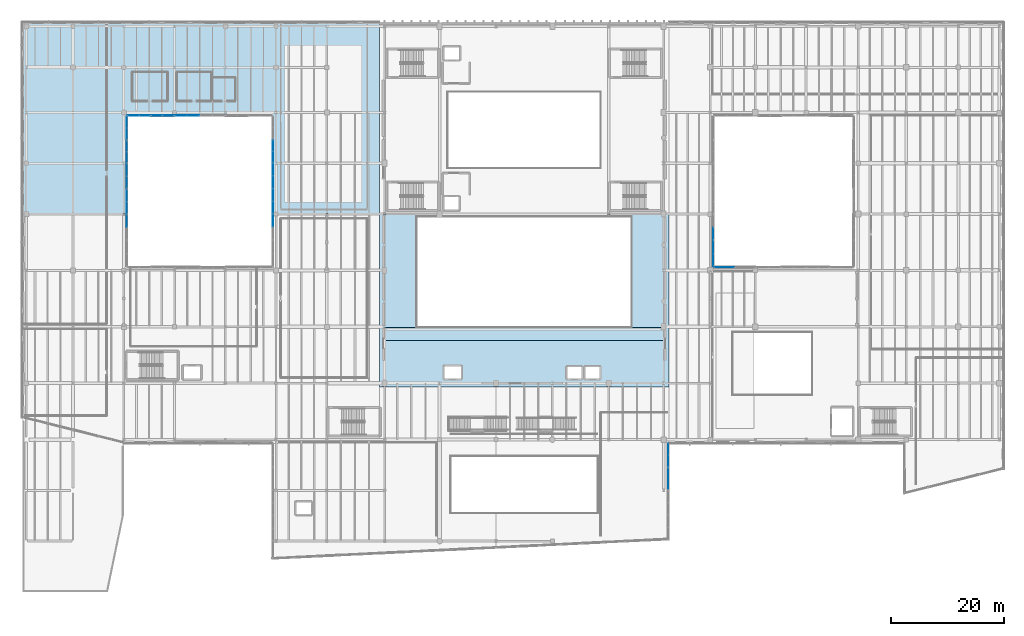
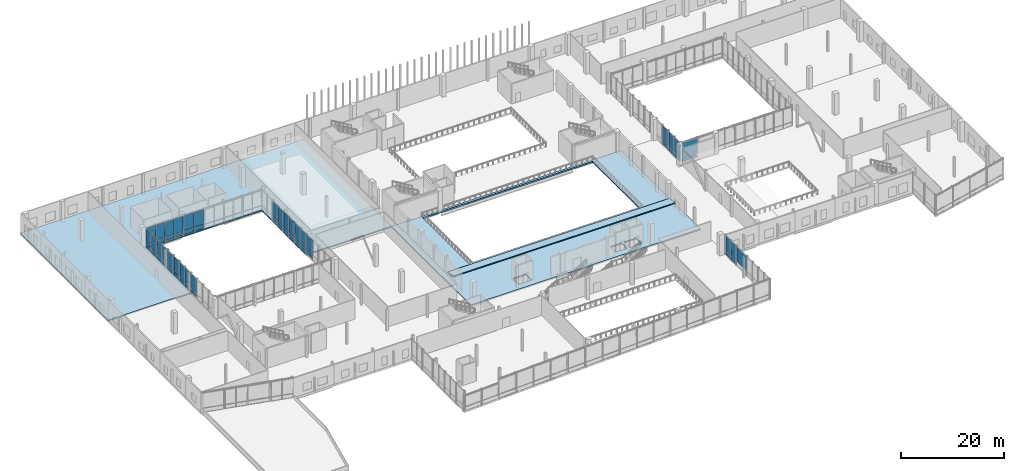
# One storey, part 53 of 81: 57 plates, 3 slabs, 17 elements without a shape of their own.
"""IFC4 building model written with IfcOpenShell, lengths in metres."""

from ifc_helpers import new_model, si_unit, direction, frame, origin, origin_2d, place, context, subcontext, project, spatial, polyline, rectangle, outline, extrude, material, layer, layer_set, type_object, element, aggregate, save


model = new_model("IFC4")

# Units and contexts
model_context = context("Model", 3, precision=1e-05, world=origin(), true_north=direction((0.0, 1.0)))
body_context = subcontext(model_context, "Body", "Model", "MODEL_VIEW")
ifc_project = project(units=[si_unit("LENGTHUNIT", "METRE"), si_unit("AREAUNIT", "SQUARE_METRE"), si_unit("VOLUMEUNIT", "CUBIC_METRE"), si_unit("PLANEANGLEUNIT", "RADIAN"), si_unit("MASSUNIT", "GRAM", prefix="KILO")], contexts=[model_context])

# Site, building, storey
site_placement = place(None, origin())
site = spatial("IfcSite", under=ifc_project, at=site_placement, CompositionType="ELEMENT")
building_placement = place(site_placement, origin())
building = spatial("IfcBuilding", under=site, at=building_placement, Name="Trimount Lyric Opera House", CompositionType="ELEMENT")
storey_placement = place(building_placement, frame((0.0, 0.0, 5.0)))
storey = spatial("IfcBuildingStorey", under=building, at=storey_placement, Name="L01", CompositionType="ELEMENT", Elevation=5.0)

# Curtain wall, plates
ifc_material_1 = material(Name="Thermally Broken Aluminium and Low-E Glass", Category="aluminium")
curtain_wall_type_1 = type_object("IfcCurtainWallType", Name="CW-01", PredefinedType="NOTDEFINED", material=ifc_material_1)
curtain_wall_1_placement = place(storey_placement, origin())
curtain_wall_1 = element("IfcCurtainWall", 1, at=curtain_wall_1_placement, inside=storey, type_object=curtain_wall_type_1, Name="L01 curtain wall 089", PredefinedType="NOTDEFINED")
ifc_material_2 = material(Name="Triple Low-E Acoustic Laminated Glass", Category="glass")
ifc_layer_1 = layer(ifc_material_2, 0.035888671875)
ifc_layer_set_1 = layer_set([ifc_layer_1], Name="CWP-01")
plate_type_1 = type_object("IfcPlateType", Name="CWP-01", PredefinedType="CURTAIN_PANEL", material=ifc_layer_set_1)
plate_1_placement = place(storey_placement, frame((114.5400390625, 42.264892578125, 0.114990234375), z_axis=(0.0, 0.0, 1.0), x_axis=(0.0, -1.0, 0.0)))
plate_1 = element("IfcPlate", 2, at=plate_1_placement, type_object=plate_type_1, Name="CW-01 panel 1.1", PredefinedType="CURTAIN_PANEL", context=body_context, shape_type="SweptSolid", body=[
    extrude(rectangle(XDim=1.989990234375, YDim=0.035888671875, at=origin_2d()), origin(), (0.0, 0.0, 1.0), 0.87744140625),
])
plate_2_placement = place(storey_placement, frame((114.5400390625, 40.215087890625, 0.114990234375), z_axis=(0.0, 0.0, 1.0), x_axis=(0.0, -1.0, 0.0)))
plate_2 = element("IfcPlate", 3, at=plate_2_placement, type_object=plate_type_1, Name="CW-01 panel 2.1", PredefinedType="CURTAIN_PANEL", context=body_context, shape_type="SweptSolid", body=[
    extrude(rectangle(XDim=1.989990234375, YDim=0.035888671875, at=origin_2d()), origin(), (0.0, 0.0, 1.0), 0.87744140625),
])

# Curtain wall, plate
ifc_material_3 = material(Name="Thermally Broken Aluminium and Low-E Glass", Category="aluminium")
curtain_wall_type_2 = type_object("IfcCurtainWallType", Name="CW-03", PredefinedType="NOTDEFINED", material=ifc_material_3)
curtain_wall_2_placement = place(storey_placement, origin())
curtain_wall_2 = element("IfcCurtainWall", 4, at=curtain_wall_2_placement, inside=storey, type_object=curtain_wall_type_2, Name="L01 curtain wall 120", PredefinedType="NOTDEFINED")
plate_3_placement = place(storey_placement, frame((124.510009765625, 74.5400390625, 0.159912109375), z_axis=(0.0, 0.0, 1.0), x_axis=(1.0, 0.0, 0.0)))
plate_3 = element("IfcPlate", 5, at=plate_3_placement, type_object=plate_type_1, Name="CW-03 panel 1.1", PredefinedType="CURTAIN_PANEL", context=body_context, shape_type="SweptSolid", body=[
    extrude(rectangle(XDim=3.52001953125, YDim=0.035888671875, at=origin_2d()), origin(), (0.0, 0.0, 1.0), 0.81005859375),
])

curtain_wall_3_placement = place(storey_placement, origin())
curtain_wall_3 = element("IfcCurtainWall", 6, at=curtain_wall_3_placement, inside=storey, type_object=curtain_wall_type_2, Name="L01 curtain wall 141", PredefinedType="NOTDEFINED")
plate_4_placement = place(storey_placement, frame((122.5400390625, 80.5, 0.159912109375), z_axis=(0.0, 0.0, 1.0), x_axis=(0.0, -1.0, 0.0)))
plate_4 = element("IfcPlate", 7, at=plate_4_placement, type_object=plate_type_1, Name="CW-03 panel 2.1", PredefinedType="CURTAIN_PANEL", context=body_context, shape_type="SweptSolid", body=[
    extrude(rectangle(XDim=2.179931640625, YDim=0.035888671875, at=origin_2d()), origin(), (0.0, 0.0, 1.0), 0.81005859375),
])

# Curtain wall, plates
curtain_wall_4_placement = place(storey_placement, origin())
curtain_wall_4 = element("IfcCurtainWall", 8, at=curtain_wall_4_placement, inside=storey, type_object=curtain_wall_type_2, Name="L01 curtain wall 142", PredefinedType="NOTDEFINED")
plate_5_placement = place(storey_placement, frame((122.5400390625, 78.09130859375, 0.13525390625), z_axis=(0.0, 0.0, 1.0), x_axis=(0.0, -1.0, 0.0)))
plate_5 = element("IfcPlate", 9, at=plate_5_placement, type_object=plate_type_1, Name="CW-03 panel 1.1", PredefinedType="CURTAIN_PANEL", context=body_context, shape_type="SweptSolid", body=[
    extrude(rectangle(XDim=2.1875, YDim=0.035888671875, at=origin_2d()), origin(), (0.0, 0.0, 1.0), 0.847412109375),
])
plate_6_placement = place(storey_placement, frame((122.5400390625, 75.8388671875, 0.13525390625), z_axis=(0.0, 0.0, 1.0), x_axis=(0.0, -1.0, 0.0)))
plate_6 = element("IfcPlate", 10, at=plate_6_placement, type_object=plate_type_1, Name="CW-03 panel 2.1", PredefinedType="CURTAIN_PANEL", context=body_context, shape_type="SweptSolid", body=[
    extrude(rectangle(XDim=2.1875, YDim=0.035888671875, at=origin_2d()), origin(), (0.0, 0.0, 1.0), 0.847412109375),
])

# Curtain wall, plate
curtain_wall_5_placement = place(storey_placement, origin())
curtain_wall_5 = element("IfcCurtainWall", 11, at=curtain_wall_5_placement, inside=storey, type_object=curtain_wall_type_2, Name="L01 curtain wall 150", PredefinedType="NOTDEFINED")
plate_7_placement = place(storey_placement, frame((44.4599609375, 82.840087890625, 0.159912109375), z_axis=(0.0, 0.0, 1.0), x_axis=(0.0, 1.0, 0.0)))
plate_7 = element("IfcPlate", 12, at=plate_7_placement, type_object=plate_type_1, Name="CW-03 panel 2.1", PredefinedType="CURTAIN_PANEL", context=body_context, shape_type="SweptSolid", body=[
    extrude(rectangle(XDim=2.179931640625, YDim=0.035888671875, at=origin_2d()), origin(), (0.0, 0.0, 1.0), 0.81005859375),
])

# Curtain wall, plates
curtain_wall_6_placement = place(storey_placement, origin())
curtain_wall_6 = element("IfcCurtainWall", 13, at=curtain_wall_6_placement, inside=storey, type_object=curtain_wall_type_2, Name="L01 curtain wall 151", PredefinedType="NOTDEFINED")
plate_8_placement = place(storey_placement, frame((44.4599609375, 85.208740234375, 0.13525390625), z_axis=(0.0, 0.0, 1.0), x_axis=(0.0, 1.0, 0.0)))
plate_8 = element("IfcPlate", 14, at=plate_8_placement, type_object=plate_type_1, Name="CW-03 panel 1.1", PredefinedType="CURTAIN_PANEL", context=body_context, shape_type="SweptSolid", body=[
    extrude(rectangle(XDim=2.107421875, YDim=0.035888671875, at=origin_2d()), origin(), (0.0, 0.0, 1.0), 0.847412109375),
])
plate_9_placement = place(storey_placement, frame((44.4599609375, 87.38134765625, 0.13525390625), z_axis=(0.0, 0.0, 1.0), x_axis=(0.0, 1.0, 0.0)))
plate_9 = element("IfcPlate", 15, at=plate_9_placement, type_object=plate_type_1, Name="CW-03 panel 2.1", PredefinedType="CURTAIN_PANEL", context=body_context, shape_type="SweptSolid", body=[
    extrude(rectangle(XDim=2.107421875, YDim=0.035888671875, at=origin_2d()), origin(), (0.0, 0.0, 1.0), 0.847412109375),
])

curtain_wall_7_placement = place(storey_placement, origin())
curtain_wall_7 = element("IfcCurtainWall", 16, at=curtain_wall_7_placement, inside=storey, type_object=curtain_wall_type_2, Name="L01 curtain wall 152", PredefinedType="NOTDEFINED")
plate_10_placement = place(storey_placement, frame((44.4599609375, 89.70751953125, 0.114990234375), z_axis=(0.0, 0.0, 1.0), x_axis=(0.0, 1.0, 0.0)))
plate_10 = element("IfcPlate", 17, at=plate_10_placement, type_object=plate_type_1, Name="CW-03 panel 1.1", PredefinedType="CURTAIN_PANEL", context=body_context, shape_type="SweptSolid", body=[
    extrude(rectangle(XDim=2.114990234375, YDim=0.035888671875, at=origin_2d()), origin(), (0.0, 0.0, 1.0), 0.87744140625),
])
plate_11_placement = place(storey_placement, frame((44.4599609375, 91.882568359375, 0.114990234375), z_axis=(0.0, 0.0, 1.0), x_axis=(0.0, 1.0, 0.0)))
plate_11 = element("IfcPlate", 18, at=plate_11_placement, type_object=plate_type_1, Name="CW-03 panel 2.1", PredefinedType="CURTAIN_PANEL", context=body_context, shape_type="SweptSolid", body=[
    extrude(rectangle(XDim=2.114990234375, YDim=0.035888671875, at=origin_2d()), origin(), (0.0, 0.0, 1.0), 0.87744140625),
])

curtain_wall_8_placement = place(storey_placement, origin())
curtain_wall_8 = element("IfcCurtainWall", 19, at=curtain_wall_8_placement, inside=storey, type_object=curtain_wall_type_2, Name="L01 curtain wall 153", PredefinedType="NOTDEFINED")
plate_12_placement = place(storey_placement, frame((44.4599609375, 94.125, 0.159912109375), z_axis=(0.0, 0.0, 1.0), x_axis=(0.0, 1.0, 0.0)))
plate_12 = element("IfcPlate", 20, at=plate_12_placement, type_object=plate_type_1, Name="CW-03 panel 1.1", PredefinedType="CURTAIN_PANEL", context=body_context, shape_type="SweptSolid", body=[
    extrude(rectangle(XDim=1.929931640625, YDim=0.035888671875, at=origin_2d()), origin(), (0.0, 0.0, 1.0), 0.81005859375),
])
plate_13_placement = place(storey_placement, frame((44.4599609375, 96.125, 0.159912109375), z_axis=(0.0, 0.0, 1.0), x_axis=(0.0, 1.0, 0.0)))
plate_13 = element("IfcPlate", 21, at=plate_13_placement, type_object=plate_type_1, Name="CW-03 panel 2.1", PredefinedType="CURTAIN_PANEL", context=body_context, shape_type="SweptSolid", body=[
    extrude(rectangle(XDim=1.929931640625, YDim=0.035888671875, at=origin_2d()), origin(), (0.0, 0.0, 1.0), 0.81005859375),
])

curtain_wall_9_placement = place(storey_placement, origin())
curtain_wall_9 = element("IfcCurtainWall", 22, at=curtain_wall_9_placement, inside=storey, type_object=curtain_wall_type_2, Name="L01 curtain wall 158", PredefinedType="NOTDEFINED")
plate_14_placement = place(storey_placement, frame((30.29248046875, 101.4599609375, 0.114990234375), z_axis=(0.0, 0.0, 1.0), x_axis=(-1.0, 0.0, 0.0)))
plate_14 = element("IfcPlate", 23, at=plate_14_placement, type_object=plate_type_1, Name="CW-03 panel 1.1", PredefinedType="CURTAIN_PANEL", context=body_context, shape_type="SweptSolid", body=[
    extrude(rectangle(XDim=2.114990234375, YDim=0.035888671875, at=origin_2d()), origin(), (0.0, 0.0, 1.0), 0.87744140625),
])
plate_15_placement = place(storey_placement, frame((28.117431640625, 101.4599609375, 0.114990234375), z_axis=(0.0, 0.0, 1.0), x_axis=(-1.0, 0.0, 0.0)))
plate_15 = element("IfcPlate", 24, at=plate_15_placement, type_object=plate_type_1, Name="CW-03 panel 2.1", PredefinedType="CURTAIN_PANEL", context=body_context, shape_type="SweptSolid", body=[
    extrude(rectangle(XDim=2.114990234375, YDim=0.035888671875, at=origin_2d()), origin(), (0.0, 0.0, 1.0), 0.87744140625),
])

curtain_wall_10_placement = place(storey_placement, origin())
curtain_wall_10 = element("IfcCurtainWall", 25, at=curtain_wall_10_placement, inside=storey, type_object=curtain_wall_type_2, Name="L01 curtain wall 159", PredefinedType="NOTDEFINED")
plate_16_placement = place(storey_placement, frame((25.875, 101.4599609375, 0.159912109375), z_axis=(0.0, 0.0, 1.0), x_axis=(-1.0, 0.0, 0.0)))
plate_16 = element("IfcPlate", 26, at=plate_16_placement, type_object=plate_type_1, Name="CW-03 panel 1.1", PredefinedType="CURTAIN_PANEL", context=body_context, shape_type="SweptSolid", body=[
    extrude(rectangle(XDim=1.929931640625, YDim=0.035888671875, at=origin_2d()), origin(), (0.0, 0.0, 1.0), 0.81005859375),
])
plate_17_placement = place(storey_placement, frame((23.875, 101.4599609375, 0.159912109375), z_axis=(0.0, 0.0, 1.0), x_axis=(-1.0, 0.0, 0.0)))
plate_17 = element("IfcPlate", 27, at=plate_17_placement, type_object=plate_type_1, Name="CW-03 panel 2.1", PredefinedType="CURTAIN_PANEL", context=body_context, shape_type="SweptSolid", body=[
    extrude(rectangle(XDim=1.929931640625, YDim=0.035888671875, at=origin_2d()), origin(), (0.0, 0.0, 1.0), 0.81005859375),
])

curtain_wall_11_placement = place(storey_placement, origin())
curtain_wall_11 = element("IfcCurtainWall", 28, at=curtain_wall_11_placement, inside=storey, type_object=curtain_wall_type_2, Name="L01 curtain wall 160", PredefinedType="NOTDEFINED")
plate_18_placement = place(storey_placement, frame((21.71630859375, 101.4599609375, 0.13525390625), z_axis=(0.0, 0.0, 1.0), x_axis=(-1.0, 0.0, 0.0)))
plate_18 = element("IfcPlate", 29, at=plate_18_placement, type_object=plate_type_1, Name="CW-03 panel 1.1", PredefinedType="CURTAIN_PANEL", context=body_context, shape_type="SweptSolid", body=[
    extrude(rectangle(XDim=1.9375, YDim=0.035888671875, at=origin_2d()), origin(), (0.0, 0.0, 1.0), 0.847412109375),
])
plate_19_placement = place(storey_placement, frame((19.7138671875, 101.4599609375, 0.13525390625), z_axis=(0.0, 0.0, 1.0), x_axis=(-1.0, 0.0, 0.0)))
plate_19 = element("IfcPlate", 30, at=plate_19_placement, type_object=plate_type_1, Name="CW-03 panel 2.1", PredefinedType="CURTAIN_PANEL", context=body_context, shape_type="SweptSolid", body=[
    extrude(rectangle(XDim=1.9375, YDim=0.035888671875, at=origin_2d()), origin(), (0.0, 0.0, 1.0), 0.847412109375),
])

curtain_wall_12_placement = place(storey_placement, origin())
curtain_wall_12 = element("IfcCurtainWall", 31, at=curtain_wall_12_placement, inside=storey, type_object=curtain_wall_type_2, Name="L01 curtain wall 161", PredefinedType="NOTDEFINED")
plate_20_placement = place(storey_placement, frame((18.5400390625, 100.264892578125, 0.114990234375), z_axis=(0.0, 0.0, 1.0), x_axis=(0.0, -1.0, 0.0)))
plate_20 = element("IfcPlate", 32, at=plate_20_placement, type_object=plate_type_1, Name="CW-03 panel 1.1", PredefinedType="CURTAIN_PANEL", context=body_context, shape_type="SweptSolid", body=[
    extrude(rectangle(XDim=1.989990234375, YDim=0.035888671875, at=origin_2d()), origin(), (0.0, 0.0, 1.0), 0.87744140625),
])
plate_21_placement = place(storey_placement, frame((18.5400390625, 98.215087890625, 0.114990234375), z_axis=(0.0, 0.0, 1.0), x_axis=(0.0, -1.0, 0.0)))
plate_21 = element("IfcPlate", 33, at=plate_21_placement, type_object=plate_type_1, Name="CW-03 panel 2.1", PredefinedType="CURTAIN_PANEL", context=body_context, shape_type="SweptSolid", body=[
    extrude(rectangle(XDim=1.989990234375, YDim=0.035888671875, at=origin_2d()), origin(), (0.0, 0.0, 1.0), 0.87744140625),
])

curtain_wall_13_placement = place(storey_placement, origin())
curtain_wall_13 = element("IfcCurtainWall", 34, at=curtain_wall_13_placement, inside=storey, type_object=curtain_wall_type_2, Name="L01 curtain wall 162", PredefinedType="NOTDEFINED")
plate_22_placement = place(storey_placement, frame((18.5400390625, 96.034912109375, 0.159912109375), z_axis=(0.0, 0.0, 1.0), x_axis=(0.0, -1.0, 0.0)))
plate_22 = element("IfcPlate", 35, at=plate_22_placement, type_object=plate_type_1, Name="CW-03 panel 1.1", PredefinedType="CURTAIN_PANEL", context=body_context, shape_type="SweptSolid", body=[
    extrude(rectangle(XDim=1.929931640625, YDim=0.035888671875, at=origin_2d()), origin(), (0.0, 0.0, 1.0), 0.81005859375),
])
plate_23_placement = place(storey_placement, frame((18.5400390625, 94.034912109375, 0.159912109375), z_axis=(0.0, 0.0, 1.0), x_axis=(0.0, -1.0, 0.0)))
plate_23 = element("IfcPlate", 36, at=plate_23_placement, type_object=plate_type_1, Name="CW-03 panel 2.1", PredefinedType="CURTAIN_PANEL", context=body_context, shape_type="SweptSolid", body=[
    extrude(rectangle(XDim=1.929931640625, YDim=0.035888671875, at=origin_2d()), origin(), (0.0, 0.0, 1.0), 0.81005859375),
])

curtain_wall_14_placement = place(storey_placement, origin())
curtain_wall_14 = element("IfcCurtainWall", 37, at=curtain_wall_14_placement, inside=storey, type_object=curtain_wall_type_2, Name="L01 curtain wall 163", PredefinedType="NOTDEFINED")
plate_24_placement = place(storey_placement, frame((18.5400390625, 91.791259765625, 0.13525390625), z_axis=(0.0, 0.0, 1.0), x_axis=(0.0, -1.0, 0.0)))
plate_24 = element("IfcPlate", 38, at=plate_24_placement, type_object=plate_type_1, Name="CW-03 panel 1.1", PredefinedType="CURTAIN_PANEL", context=body_context, shape_type="SweptSolid", body=[
    extrude(rectangle(XDim=2.107421875, YDim=0.035888671875, at=origin_2d()), origin(), (0.0, 0.0, 1.0), 0.847412109375),
])
plate_25_placement = place(storey_placement, frame((18.5400390625, 89.61865234375, 0.13525390625), z_axis=(0.0, 0.0, 1.0), x_axis=(0.0, -1.0, 0.0)))
plate_25 = element("IfcPlate", 39, at=plate_25_placement, type_object=plate_type_1, Name="CW-03 panel 2.1", PredefinedType="CURTAIN_PANEL", context=body_context, shape_type="SweptSolid", body=[
    extrude(rectangle(XDim=2.107421875, YDim=0.035888671875, at=origin_2d()), origin(), (0.0, 0.0, 1.0), 0.847412109375),
])

curtain_wall_15_placement = place(storey_placement, origin())
curtain_wall_15 = element("IfcCurtainWall", 40, at=curtain_wall_15_placement, inside=storey, type_object=curtain_wall_type_2, Name="L01 curtain wall 164", PredefinedType="NOTDEFINED")
plate_26_placement = place(storey_placement, frame((18.5400390625, 87.29248046875, 0.114990234375), z_axis=(0.0, 0.0, 1.0), x_axis=(0.0, -1.0, 0.0)))
plate_26 = element("IfcPlate", 41, at=plate_26_placement, type_object=plate_type_1, Name="CW-03 panel 1.1", PredefinedType="CURTAIN_PANEL", context=body_context, shape_type="SweptSolid", body=[
    extrude(rectangle(XDim=2.114990234375, YDim=0.035888671875, at=origin_2d()), origin(), (0.0, 0.0, 1.0), 0.87744140625),
])
plate_27_placement = place(storey_placement, frame((18.5400390625, 85.117431640625, 0.114990234375), z_axis=(0.0, 0.0, 1.0), x_axis=(0.0, -1.0, 0.0)))
plate_27 = element("IfcPlate", 42, at=plate_27_placement, type_object=plate_type_1, Name="CW-03 panel 2.1", PredefinedType="CURTAIN_PANEL", context=body_context, shape_type="SweptSolid", body=[
    extrude(rectangle(XDim=2.114990234375, YDim=0.035888671875, at=origin_2d()), origin(), (0.0, 0.0, 1.0), 0.87744140625),
])

# Curtain wall, plate
curtain_wall_16_placement = place(storey_placement, origin())
curtain_wall_16 = element("IfcCurtainWall", 43, at=curtain_wall_16_placement, inside=storey, type_object=curtain_wall_type_2, Name="L01 curtain wall 165", PredefinedType="NOTDEFINED")
plate_28_placement = place(storey_placement, frame((18.5400390625, 82.75, 0.159912109375), z_axis=(0.0, 0.0, 1.0), x_axis=(0.0, -1.0, 0.0)))
plate_28 = element("IfcPlate", 44, at=plate_28_placement, type_object=plate_type_1, Name="CW-03 panel 1.1", PredefinedType="CURTAIN_PANEL", context=body_context, shape_type="SweptSolid", body=[
    extrude(rectangle(XDim=2.179931640625, YDim=0.035888671875, at=origin_2d()), origin(), (0.0, 0.0, 1.0), 0.81005859375),
])

# Plate
ifc_material_4 = material(Name="Insulated Aluminium Shadow-Box Spandrel Panel", Category="aluminium")
ifc_layer_2 = layer(ifc_material_4, 0.0419921875)
ifc_layer_set_2 = layer_set([ifc_layer_2], Name="CWP-04")
plate_type_2 = type_object("IfcPlateType", Name="CWP-04", PredefinedType="CURTAIN_PANEL", material=ifc_layer_set_2)
plate_29_placement = place(storey_placement, frame((114.5400390625, 42.264892578125, 1.107421875), z_axis=(0.0, 0.0, 1.0), x_axis=(0.0, -1.0, 0.0)))
plate_29 = element("IfcPlate", 45, at=plate_29_placement, type_object=plate_type_2, Name="CW-01 panel 1.2", PredefinedType="CURTAIN_PANEL", context=body_context, shape_type="SweptSolid", body=[
    extrude(rectangle(XDim=1.989990234375, YDim=0.035888671875, at=origin_2d()), origin(), (0.0, 0.0, 1.0), 3.45751953125),
])

plate_30_placement = place(storey_placement, frame((114.5400390625, 40.215087890625, 1.107421875), z_axis=(0.0, 0.0, 1.0), x_axis=(0.0, -1.0, 0.0)))
plate_30 = element("IfcPlate", 46, at=plate_30_placement, type_object=plate_type_2, Name="CW-01 panel 2.2", PredefinedType="CURTAIN_PANEL", context=body_context, shape_type="SweptSolid", body=[
    extrude(rectangle(XDim=1.989990234375, YDim=0.035888671875, at=origin_2d()), origin(), (0.0, 0.0, 1.0), 3.45751953125),
])

aggregate(curtain_wall_1, [plate_1, plate_29, plate_2, plate_30])

# Curtain wall, plate
curtain_wall_17_placement = place(storey_placement, origin())
curtain_wall_17 = element("IfcCurtainWall", 47, at=curtain_wall_17_placement, inside=storey, type_object=curtain_wall_type_1, Name="L01 curtain wall 090", PredefinedType="NOTDEFINED")
plate_31_placement = place(storey_placement, frame((114.5400390625, 37.074951171875, 1.1298828125), z_axis=(0.0, 0.0, 1.0), x_axis=(0.0, -1.0, 0.0)))
plate_31 = element("IfcPlate", 48, at=plate_31_placement, type_object=plate_type_2, Name="CW-01 panel 1.2", PredefinedType="CURTAIN_PANEL", context=body_context, shape_type="SweptSolid", body=[
    extrude(rectangle(XDim=3.85009765625, YDim=0.035888671875, at=origin_2d()), origin(), (0.0, 0.0, 1.0), 3.389892578125),
])
aggregate(curtain_wall_17, [plate_31])

# Plate
plate_32_placement = place(storey_placement, frame((124.510009765625, 74.5400390625, 1.1298828125), z_axis=(0.0, 0.0, 1.0), x_axis=(1.0, 0.0, 0.0)))
plate_32 = element("IfcPlate", 49, at=plate_32_placement, type_object=plate_type_2, Name="CW-03 panel 1.2", PredefinedType="CURTAIN_PANEL", context=body_context, shape_type="SweptSolid", body=[
    extrude(rectangle(XDim=3.52001953125, YDim=0.035888671875, at=origin_2d()), origin(), (0.0, 0.0, 1.0), 3.389892578125),
])

aggregate(curtain_wall_2, [plate_3, plate_32])

plate_33_placement = place(storey_placement, frame((122.5400390625, 80.5, 1.1298828125), z_axis=(0.0, 0.0, 1.0), x_axis=(0.0, -1.0, 0.0)))
plate_33 = element("IfcPlate", 50, at=plate_33_placement, type_object=plate_type_2, Name="CW-03 panel 2.2", PredefinedType="CURTAIN_PANEL", context=body_context, shape_type="SweptSolid", body=[
    extrude(rectangle(XDim=2.179931640625, YDim=0.035888671875, at=origin_2d()), origin(), (0.0, 0.0, 1.0), 3.389892578125),
])

aggregate(curtain_wall_3, [plate_4, plate_33])

plate_34_placement = place(storey_placement, frame((122.5400390625, 78.09130859375, 1.11767578125), z_axis=(0.0, 0.0, 1.0), x_axis=(0.0, -1.0, 0.0)))
plate_34 = element("IfcPlate", 51, at=plate_34_placement, type_object=plate_type_2, Name="CW-03 panel 1.2", PredefinedType="CURTAIN_PANEL", context=body_context, shape_type="SweptSolid", body=[
    extrude(rectangle(XDim=2.1875, YDim=0.035888671875, at=origin_2d()), origin(), (0.0, 0.0, 1.0), 3.427490234375),
])

plate_35_placement = place(storey_placement, frame((122.5400390625, 75.8388671875, 1.11767578125), z_axis=(0.0, 0.0, 1.0), x_axis=(0.0, -1.0, 0.0)))
plate_35 = element("IfcPlate", 52, at=plate_35_placement, type_object=plate_type_2, Name="CW-03 panel 2.2", PredefinedType="CURTAIN_PANEL", context=body_context, shape_type="SweptSolid", body=[
    extrude(rectangle(XDim=2.1875, YDim=0.035888671875, at=origin_2d()), origin(), (0.0, 0.0, 1.0), 3.427490234375),
])

aggregate(curtain_wall_4, [plate_5, plate_34, plate_6, plate_35])

plate_36_placement = place(storey_placement, frame((44.4599609375, 82.840087890625, 1.1298828125), z_axis=(0.0, 0.0, 1.0), x_axis=(0.0, 1.0, 0.0)))
plate_36 = element("IfcPlate", 53, at=plate_36_placement, type_object=plate_type_2, Name="CW-03 panel 2.2", PredefinedType="CURTAIN_PANEL", context=body_context, shape_type="SweptSolid", body=[
    extrude(rectangle(XDim=2.179931640625, YDim=0.035888671875, at=origin_2d()), origin(), (0.0, 0.0, 1.0), 3.389892578125),
])

aggregate(curtain_wall_5, [plate_7, plate_36])

plate_37_placement = place(storey_placement, frame((44.4599609375, 85.208740234375, 1.11767578125), z_axis=(0.0, 0.0, 1.0), x_axis=(0.0, 1.0, 0.0)))
plate_37 = element("IfcPlate", 54, at=plate_37_placement, type_object=plate_type_2, Name="CW-03 panel 1.2", PredefinedType="CURTAIN_PANEL", context=body_context, shape_type="SweptSolid", body=[
    extrude(rectangle(XDim=2.107421875, YDim=0.035888671875, at=origin_2d()), origin(), (0.0, 0.0, 1.0), 3.427490234375),
])

plate_38_placement = place(storey_placement, frame((44.4599609375, 87.38134765625, 1.11767578125), z_axis=(0.0, 0.0, 1.0), x_axis=(0.0, 1.0, 0.0)))
plate_38 = element("IfcPlate", 55, at=plate_38_placement, type_object=plate_type_2, Name="CW-03 panel 2.2", PredefinedType="CURTAIN_PANEL", context=body_context, shape_type="SweptSolid", body=[
    extrude(rectangle(XDim=2.107421875, YDim=0.035888671875, at=origin_2d()), origin(), (0.0, 0.0, 1.0), 3.427490234375),
])

aggregate(curtain_wall_6, [plate_8, plate_37, plate_9, plate_38])

plate_39_placement = place(storey_placement, frame((44.4599609375, 89.70751953125, 1.107421875), z_axis=(0.0, 0.0, 1.0), x_axis=(0.0, 1.0, 0.0)))
plate_39 = element("IfcPlate", 56, at=plate_39_placement, type_object=plate_type_2, Name="CW-03 panel 1.2", PredefinedType="CURTAIN_PANEL", context=body_context, shape_type="SweptSolid", body=[
    extrude(rectangle(XDim=2.114990234375, YDim=0.035888671875, at=origin_2d()), origin(), (0.0, 0.0, 1.0), 3.45751953125),
])

plate_40_placement = place(storey_placement, frame((44.4599609375, 91.882568359375, 1.107421875), z_axis=(0.0, 0.0, 1.0), x_axis=(0.0, 1.0, 0.0)))
plate_40 = element("IfcPlate", 57, at=plate_40_placement, type_object=plate_type_2, Name="CW-03 panel 2.2", PredefinedType="CURTAIN_PANEL", context=body_context, shape_type="SweptSolid", body=[
    extrude(rectangle(XDim=2.114990234375, YDim=0.035888671875, at=origin_2d()), origin(), (0.0, 0.0, 1.0), 3.45751953125),
])

aggregate(curtain_wall_7, [plate_10, plate_39, plate_11, plate_40])

plate_41_placement = place(storey_placement, frame((44.4599609375, 94.125, 1.1298828125), z_axis=(0.0, 0.0, 1.0), x_axis=(0.0, 1.0, 0.0)))
plate_41 = element("IfcPlate", 58, at=plate_41_placement, type_object=plate_type_2, Name="CW-03 panel 1.2", PredefinedType="CURTAIN_PANEL", context=body_context, shape_type="SweptSolid", body=[
    extrude(rectangle(XDim=1.929931640625, YDim=0.035888671875, at=origin_2d()), origin(), (0.0, 0.0, 1.0), 3.389892578125),
])

plate_42_placement = place(storey_placement, frame((44.4599609375, 96.125, 1.1298828125), z_axis=(0.0, 0.0, 1.0), x_axis=(0.0, 1.0, 0.0)))
plate_42 = element("IfcPlate", 59, at=plate_42_placement, type_object=plate_type_2, Name="CW-03 panel 2.2", PredefinedType="CURTAIN_PANEL", context=body_context, shape_type="SweptSolid", body=[
    extrude(rectangle(XDim=1.929931640625, YDim=0.035888671875, at=origin_2d()), origin(), (0.0, 0.0, 1.0), 3.389892578125),
])

aggregate(curtain_wall_8, [plate_12, plate_41, plate_13, plate_42])

plate_43_placement = place(storey_placement, frame((30.29248046875, 101.4599609375, 1.107421875), z_axis=(0.0, 0.0, 1.0), x_axis=(-1.0, 0.0, 0.0)))
plate_43 = element("IfcPlate", 60, at=plate_43_placement, type_object=plate_type_2, Name="CW-03 panel 1.2", PredefinedType="CURTAIN_PANEL", context=body_context, shape_type="SweptSolid", body=[
    extrude(rectangle(XDim=2.114990234375, YDim=0.035888671875, at=origin_2d()), origin(), (0.0, 0.0, 1.0), 3.45751953125),
])

plate_44_placement = place(storey_placement, frame((28.117431640625, 101.4599609375, 1.107421875), z_axis=(0.0, 0.0, 1.0), x_axis=(-1.0, 0.0, 0.0)))
plate_44 = element("IfcPlate", 61, at=plate_44_placement, type_object=plate_type_2, Name="CW-03 panel 2.2", PredefinedType="CURTAIN_PANEL", context=body_context, shape_type="SweptSolid", body=[
    extrude(rectangle(XDim=2.114990234375, YDim=0.035888671875, at=origin_2d()), origin(), (0.0, 0.0, 1.0), 3.45751953125),
])

aggregate(curtain_wall_9, [plate_14, plate_43, plate_15, plate_44])

plate_45_placement = place(storey_placement, frame((25.875, 101.4599609375, 1.1298828125), z_axis=(0.0, 0.0, 1.0), x_axis=(-1.0, 0.0, 0.0)))
plate_45 = element("IfcPlate", 62, at=plate_45_placement, type_object=plate_type_2, Name="CW-03 panel 1.2", PredefinedType="CURTAIN_PANEL", context=body_context, shape_type="SweptSolid", body=[
    extrude(rectangle(XDim=1.929931640625, YDim=0.035888671875, at=origin_2d()), origin(), (0.0, 0.0, 1.0), 3.389892578125),
])

plate_46_placement = place(storey_placement, frame((23.875, 101.4599609375, 1.1298828125), z_axis=(0.0, 0.0, 1.0), x_axis=(-1.0, 0.0, 0.0)))
plate_46 = element("IfcPlate", 63, at=plate_46_placement, type_object=plate_type_2, Name="CW-03 panel 2.2", PredefinedType="CURTAIN_PANEL", context=body_context, shape_type="SweptSolid", body=[
    extrude(rectangle(XDim=1.929931640625, YDim=0.035888671875, at=origin_2d()), origin(), (0.0, 0.0, 1.0), 3.389892578125),
])

aggregate(curtain_wall_10, [plate_16, plate_45, plate_17, plate_46])

plate_47_placement = place(storey_placement, frame((21.71630859375, 101.4599609375, 1.11767578125), z_axis=(0.0, 0.0, 1.0), x_axis=(-1.0, 0.0, 0.0)))
plate_47 = element("IfcPlate", 64, at=plate_47_placement, type_object=plate_type_2, Name="CW-03 panel 1.2", PredefinedType="CURTAIN_PANEL", context=body_context, shape_type="SweptSolid", body=[
    extrude(rectangle(XDim=1.9375, YDim=0.035888671875, at=origin_2d()), origin(), (0.0, 0.0, 1.0), 3.427490234375),
])

plate_48_placement = place(storey_placement, frame((19.7138671875, 101.4599609375, 1.11767578125), z_axis=(0.0, 0.0, 1.0), x_axis=(-1.0, 0.0, 0.0)))
plate_48 = element("IfcPlate", 65, at=plate_48_placement, type_object=plate_type_2, Name="CW-03 panel 2.2", PredefinedType="CURTAIN_PANEL", context=body_context, shape_type="SweptSolid", body=[
    extrude(rectangle(XDim=1.9375, YDim=0.035888671875, at=origin_2d()), origin(), (0.0, 0.0, 1.0), 3.427490234375),
])

aggregate(curtain_wall_11, [plate_18, plate_47, plate_19, plate_48])

plate_49_placement = place(storey_placement, frame((18.5400390625, 100.264892578125, 1.107421875), z_axis=(0.0, 0.0, 1.0), x_axis=(0.0, -1.0, 0.0)))
plate_49 = element("IfcPlate", 66, at=plate_49_placement, type_object=plate_type_2, Name="CW-03 panel 1.2", PredefinedType="CURTAIN_PANEL", context=body_context, shape_type="SweptSolid", body=[
    extrude(rectangle(XDim=1.989990234375, YDim=0.035888671875, at=origin_2d()), origin(), (0.0, 0.0, 1.0), 3.45751953125),
])

plate_50_placement = place(storey_placement, frame((18.5400390625, 98.215087890625, 1.107421875), z_axis=(0.0, 0.0, 1.0), x_axis=(0.0, -1.0, 0.0)))
plate_50 = element("IfcPlate", 67, at=plate_50_placement, type_object=plate_type_2, Name="CW-03 panel 2.2", PredefinedType="CURTAIN_PANEL", context=body_context, shape_type="SweptSolid", body=[
    extrude(rectangle(XDim=1.989990234375, YDim=0.035888671875, at=origin_2d()), origin(), (0.0, 0.0, 1.0), 3.45751953125),
])

aggregate(curtain_wall_12, [plate_20, plate_49, plate_21, plate_50])

plate_51_placement = place(storey_placement, frame((18.5400390625, 96.034912109375, 1.1298828125), z_axis=(0.0, 0.0, 1.0), x_axis=(0.0, -1.0, 0.0)))
plate_51 = element("IfcPlate", 68, at=plate_51_placement, type_object=plate_type_2, Name="CW-03 panel 1.2", PredefinedType="CURTAIN_PANEL", context=body_context, shape_type="SweptSolid", body=[
    extrude(rectangle(XDim=1.929931640625, YDim=0.035888671875, at=origin_2d()), origin(), (0.0, 0.0, 1.0), 3.389892578125),
])

plate_52_placement = place(storey_placement, frame((18.5400390625, 94.034912109375, 1.1298828125), z_axis=(0.0, 0.0, 1.0), x_axis=(0.0, -1.0, 0.0)))
plate_52 = element("IfcPlate", 69, at=plate_52_placement, type_object=plate_type_2, Name="CW-03 panel 2.2", PredefinedType="CURTAIN_PANEL", context=body_context, shape_type="SweptSolid", body=[
    extrude(rectangle(XDim=1.929931640625, YDim=0.035888671875, at=origin_2d()), origin(), (0.0, 0.0, 1.0), 3.389892578125),
])

aggregate(curtain_wall_13, [plate_22, plate_51, plate_23, plate_52])

plate_53_placement = place(storey_placement, frame((18.5400390625, 91.791259765625, 1.11767578125), z_axis=(0.0, 0.0, 1.0), x_axis=(0.0, -1.0, 0.0)))
plate_53 = element("IfcPlate", 70, at=plate_53_placement, type_object=plate_type_2, Name="CW-03 panel 1.2", PredefinedType="CURTAIN_PANEL", context=body_context, shape_type="SweptSolid", body=[
    extrude(rectangle(XDim=2.107421875, YDim=0.035888671875, at=origin_2d()), origin(), (0.0, 0.0, 1.0), 3.427490234375),
])

plate_54_placement = place(storey_placement, frame((18.5400390625, 89.61865234375, 1.11767578125), z_axis=(0.0, 0.0, 1.0), x_axis=(0.0, -1.0, 0.0)))
plate_54 = element("IfcPlate", 71, at=plate_54_placement, type_object=plate_type_2, Name="CW-03 panel 2.2", PredefinedType="CURTAIN_PANEL", context=body_context, shape_type="SweptSolid", body=[
    extrude(rectangle(XDim=2.107421875, YDim=0.035888671875, at=origin_2d()), origin(), (0.0, 0.0, 1.0), 3.427490234375),
])

aggregate(curtain_wall_14, [plate_24, plate_53, plate_25, plate_54])

plate_55_placement = place(storey_placement, frame((18.5400390625, 87.29248046875, 1.107421875), z_axis=(0.0, 0.0, 1.0), x_axis=(0.0, -1.0, 0.0)))
plate_55 = element("IfcPlate", 72, at=plate_55_placement, type_object=plate_type_2, Name="CW-03 panel 1.2", PredefinedType="CURTAIN_PANEL", context=body_context, shape_type="SweptSolid", body=[
    extrude(rectangle(XDim=2.114990234375, YDim=0.035888671875, at=origin_2d()), origin(), (0.0, 0.0, 1.0), 3.45751953125),
])

plate_56_placement = place(storey_placement, frame((18.5400390625, 85.117431640625, 1.107421875), z_axis=(0.0, 0.0, 1.0), x_axis=(0.0, -1.0, 0.0)))
plate_56 = element("IfcPlate", 73, at=plate_56_placement, type_object=plate_type_2, Name="CW-03 panel 2.2", PredefinedType="CURTAIN_PANEL", context=body_context, shape_type="SweptSolid", body=[
    extrude(rectangle(XDim=2.114990234375, YDim=0.035888671875, at=origin_2d()), origin(), (0.0, 0.0, 1.0), 3.45751953125),
])

aggregate(curtain_wall_15, [plate_26, plate_55, plate_27, plate_56])

plate_57_placement = place(storey_placement, frame((18.5400390625, 82.75, 1.1298828125), z_axis=(0.0, 0.0, 1.0), x_axis=(0.0, -1.0, 0.0)))
plate_57 = element("IfcPlate", 74, at=plate_57_placement, type_object=plate_type_2, Name="CW-03 panel 1.2", PredefinedType="CURTAIN_PANEL", context=body_context, shape_type="SweptSolid", body=[
    extrude(rectangle(XDim=2.179931640625, YDim=0.035888671875, at=origin_2d()), origin(), (0.0, 0.0, 1.0), 3.389892578125),
])

aggregate(curtain_wall_16, [plate_28, plate_57])

# Slabs
ifc_material_5 = material(Name="Concrete C40/50", Category="concrete")
ifc_layer_3 = layer(ifc_material_5, 0.280029296875)
ifc_layer_set_3 = layer_set([ifc_layer_3], Name="SL-FL280")
slab_type_1 = type_object("IfcSlabType", Name="SL-FL280", PredefinedType="FLOOR", material=ifc_layer_set_3)
slab_1_placement = place(storey_placement, frame((0.0, 0.0, -0.280029296875)))
element("IfcSlab", 75, at=slab_1_placement, inside=storey, type_object=slab_type_1, Name="L01 floor slab L01-WEST-N", PredefinedType="FLOOR", context=body_context, shape_type="SweptSolid", body=[
    extrude(outline(polyline([(63.320068359375, 118.0), (63.320068359375, 84.0), (44.320068359375, 84.0), (44.320068359375, 101.320068359375), (18.679931640625, 101.320068359375), (18.679931640625, 84.0), (0.0, 84.0), (0.0, 118.0), (63.320068359375, 118.0)])), origin(), (0.0, 0.0, 1.0), 0.280029296875),
])
ifc_material_6 = material(Name="Concrete C40/50", Category="concrete")
ifc_layer_4 = layer(ifc_material_6, 0.324951171875)
ifc_layer_set_4 = layer_set([ifc_layer_4], Name="SL-FL325")
slab_type_2 = type_object("IfcSlabType", Name="SL-FL325", PredefinedType="FLOOR", material=ifc_layer_set_4)
slab_2_placement = place(storey_placement, frame((0.0, 0.0, -0.324951171875)))
element("IfcSlab", 76, at=slab_2_placement, inside=storey, type_object=slab_type_2, Name="L01 floor slab L01-VOL1-S", PredefinedType="FLOOR", context=body_context, shape_type="SweptSolid", body=[
    extrude(outline(polyline([(114.679931640625, 84.0), (114.679931640625, 53.320068359375), (63.320068359375, 53.320068359375), (63.320068359375, 84.0), (114.679931640625, 84.0)]), holes=[polyline([(70.0, 64.0), (108.0, 64.0), (108.0, 83.5), (70.0, 83.5), (70.0, 64.0)]), polyline([(102.39990234375, 56.89990234375), (99.800048828125, 56.89990234375), (99.800048828125, 54.800048828125), (102.39990234375, 54.800048828125), (102.39990234375, 56.89990234375)]), polyline([(99.199951171875, 56.89990234375), (96.60009765625, 56.89990234375), (96.60009765625, 54.800048828125), (99.199951171875, 54.800048828125), (99.199951171875, 56.89990234375)]), polyline([(77.800048828125, 57.0), (74.800048828125, 57.0), (74.800048828125, 54.800048828125), (77.800048828125, 54.800048828125), (77.800048828125, 57.0)])]), origin(), (0.0, 0.0, 1.0), 0.324951171875),
])
ifc_material_7 = material(Name="Precast concrete C40/50", Category="concrete")
ifc_layer_5 = layer(ifc_material_7, 0.18505859375)
ifc_layer_set_5 = layer_set([ifc_layer_5], Name="SL-TIER185")
slab_type_3 = type_object("IfcSlabType", Name="SL-TIER185", PredefinedType="USERDEFINED", material=ifc_layer_set_5)
slab_3_placement = place(storey_placement, frame((64.14990234375, 63.85009765625, 1.14990234375), z_axis=(0.0, 0.153748879626, 0.988109954415), x_axis=(1.0, 0.0, 0.0)))
element("IfcSlab", 77, at=slab_3_placement, inside=storey, type_object=slab_type_3, Name="Parterre Box Center Tier", ObjectType="SEATING_TIER", PredefinedType="USERDEFINED", context=body_context, shape_type="SweptSolid", body=[
    extrude(outline(polyline([(0.0, 0.0), (49.7001953125, 0.0), (49.7001953125, -2.277074519841576), (0.0, -2.277074519841576), (0.0, 0.0)])), origin(), (0.0, 0.0, -1.0), 0.18505859375),
])

save(model, "model.ifc")
